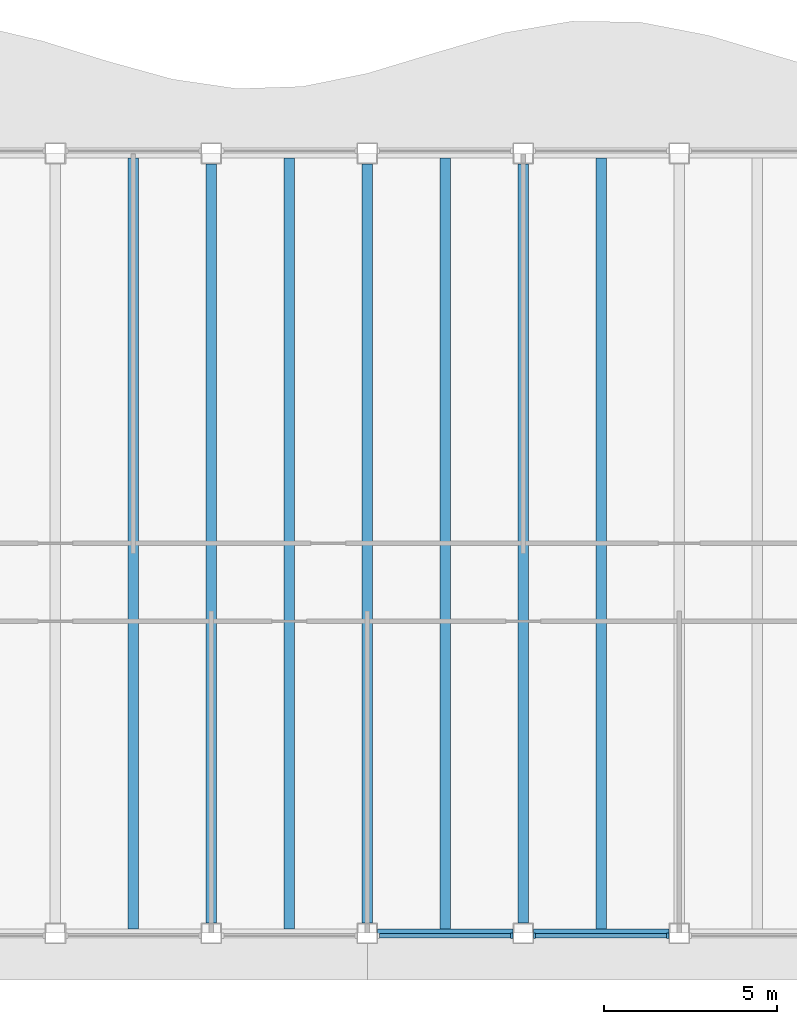
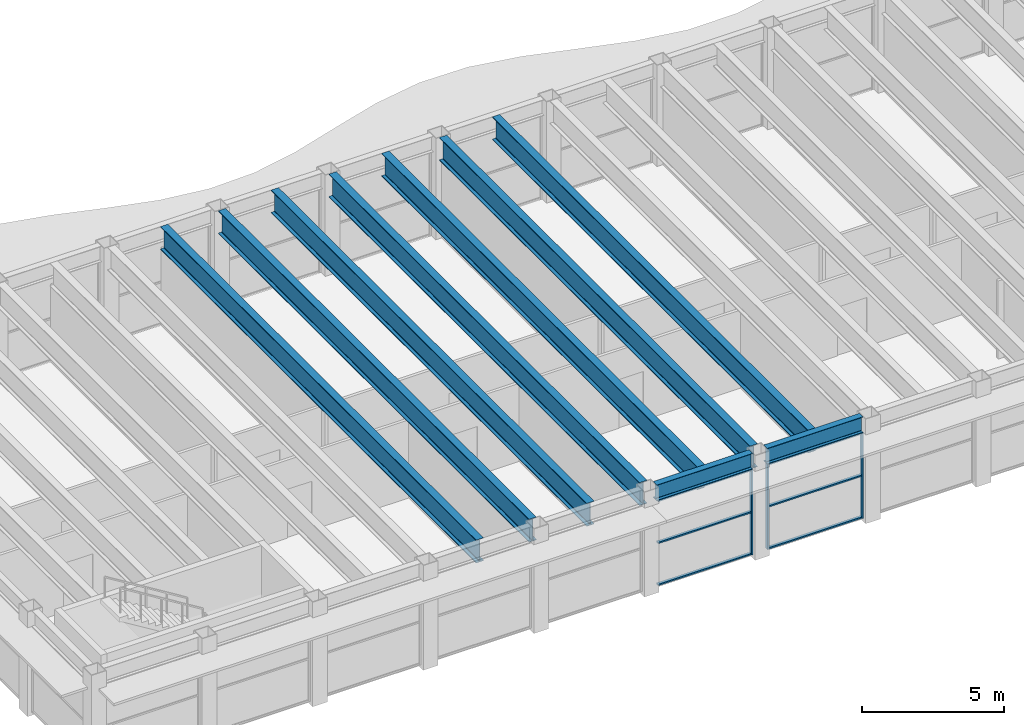
# One storey, part 3 of 14: 9 beams, 9 members, 2 elements without a shape of their own.
"""IFC4 building model written with IfcOpenShell, lengths in metres."""

from ifc_helpers import new_model, si_unit, direction, frame, origin, origin_2d, place, context, subcontext, project, spatial, rectangle, i_section, extrude, material, material_profile, profile_set, type_object, element, aggregate, save


model = new_model("IFC4")

# Units and contexts
model_context = context("Model", 3, precision=1e-05, world=origin(), true_north=direction((0.0, 1.0)))
body_context = subcontext(model_context, "Body", "Model", "MODEL_VIEW")
ifc_project = project(units=[si_unit("LENGTHUNIT", "METRE"), si_unit("AREAUNIT", "SQUARE_METRE"), si_unit("VOLUMEUNIT", "CUBIC_METRE"), si_unit("PLANEANGLEUNIT", "RADIAN"), si_unit("MASSUNIT", "GRAM", prefix="KILO")], contexts=[model_context])

# Site, building, storey
site_placement = place(None, origin())
site = spatial("IfcSite", under=ifc_project, at=site_placement, CompositionType="ELEMENT")
building_placement = place(site_placement, origin())
building = spatial("IfcBuilding", under=site, at=building_placement, Name="Sennacour Bend Tower", CompositionType="ELEMENT")
storey_placement = place(building_placement, frame((0.0, 0.0, 305.0)))
storey = spatial("IfcBuildingStorey", under=building, at=storey_placement, Name="L70", CompositionType="ELEMENT", Elevation=305.0)

# Curtain wall, member
ifc_material_1 = material(Name="Bronze anodised aluminium curtain wall with clear glass", Category="aluminium")
curtain_wall_type = type_object("IfcCurtainWallType", Name="CURTAIN WALL EXEC", PredefinedType="NOTDEFINED", material=ifc_material_1)
curtain_wall_1_placement = place(storey_placement, origin())
curtain_wall_1 = element("IfcCurtainWall", 1, at=curtain_wall_1_placement, inside=storey, type_object=curtain_wall_type, Name="Executive floor glass wall L70", PredefinedType="NOTDEFINED")
ifc_material_2 = material(Name="Aluminium 6063-T6", Category="aluminium")
ifc_material_profile_1 = material_profile(ifc_material_2, rectangle(XDim=0.14990234375, YDim=0.06005859375, at=origin_2d()), Name="Aluminium 6063-T6", Category="aluminium")
ifc_profile_set_1 = profile_set([ifc_material_profile_1], Name="Aluminium 6063-T6")
member_type_1 = type_object("IfcMemberType", Name="CW-MULLION-150X60", PredefinedType="MULLION", material=ifc_profile_set_1)
member_1_placement = place(storey_placement, frame((26.669921875, -0.074951171875, 0.0), z_axis=(0.0, 0.0, 1.0), x_axis=(0.0, 1.0, 0.0)))
member_1 = element("IfcMember", 2, at=member_1_placement, type_object=member_type_1, Name="GW3 curtain wall mullion 2", PredefinedType="MULLION", context=body_context, shape_type="SweptSolid", body=[
    extrude(rectangle(XDim=0.14990234375, YDim=0.06005859375, at=origin_2d()), origin(), (0.0, 0.0, 1.0), 3.672119140625),
])

# Curtain wall, members
curtain_wall_2_placement = place(storey_placement, origin())
curtain_wall_2 = element("IfcCurtainWall", 3, at=curtain_wall_2_placement, inside=storey, type_object=curtain_wall_type, Name="Executive floor glass wall L70", PredefinedType="NOTDEFINED")
member_2_placement = place(storey_placement, frame((27.330078125, -0.074951171875, 0.0), z_axis=(0.0, 0.0, 1.0), x_axis=(0.0, 1.0, 0.0)))
member_2 = element("IfcMember", 4, at=member_2_placement, type_object=member_type_1, Name="GW3 curtain wall mullion 1", PredefinedType="MULLION", context=body_context, shape_type="SweptSolid", body=[
    extrude(rectangle(XDim=0.14990234375, YDim=0.06005859375, at=origin_2d()), origin(), (0.0, 0.0, 1.0), 3.672119140625),
])
member_3_placement = place(storey_placement, frame((31.169921875, -0.074951171875, 0.0), z_axis=(0.0, 0.0, 1.0), x_axis=(0.0, 1.0, 0.0)))
member_3 = element("IfcMember", 5, at=member_3_placement, type_object=member_type_1, Name="GW3 curtain wall mullion 2", PredefinedType="MULLION", context=body_context, shape_type="SweptSolid", body=[
    extrude(rectangle(XDim=0.14990234375, YDim=0.06005859375, at=origin_2d()), origin(), (0.0, 0.0, 1.0), 3.672119140625),
])

# Member
ifc_material_profile_2 = material_profile(ifc_material_2, rectangle(XDim=0.1201171875, YDim=0.06005859375, at=origin_2d()), Name="Aluminium 6063-T6", Category="aluminium")
ifc_profile_set_2 = profile_set([ifc_material_profile_2], Name="Aluminium 6063-T6")
member_type_2 = type_object("IfcMemberType", Name="CW-TRANSOM-120X60", PredefinedType="USERDEFINED", material=ifc_profile_set_2)
member_4_placement = place(storey_placement, frame((22.860107421875, -0.074951171875, 0.030029296875), z_axis=(1.0, 0.0, 0.0), x_axis=(0.0, 1.0, 0.0)))
member_4 = element("IfcMember", 6, at=member_4_placement, type_object=member_type_2, Name="GW3 curtain wall transom 1.1", ObjectType="TRANSOM", PredefinedType="USERDEFINED", context=body_context, shape_type="SweptSolid", body=[
    extrude(rectangle(XDim=0.1201171875, YDim=0.06005859375, at=origin_2d()), origin(), (0.0, 0.0, 1.0), 3.77978515625),
])

member_5_placement = place(storey_placement, frame((22.860107421875, -0.074951171875, 1.8359375), z_axis=(1.0, 0.0, 0.0), x_axis=(0.0, 1.0, 0.0)))
member_5 = element("IfcMember", 7, at=member_5_placement, type_object=member_type_2, Name="GW3 curtain wall transom 1.2", ObjectType="TRANSOM", PredefinedType="USERDEFINED", context=body_context, shape_type="SweptSolid", body=[
    extrude(rectangle(XDim=0.1201171875, YDim=0.06005859375, at=origin_2d()), origin(), (0.0, 0.0, 1.0), 3.77978515625),
])

member_6_placement = place(storey_placement, frame((22.860107421875, -0.074951171875, 3.64208984375), z_axis=(1.0, 0.0, 0.0), x_axis=(0.0, 1.0, 0.0)))
member_6 = element("IfcMember", 8, at=member_6_placement, type_object=member_type_2, Name="GW3 curtain wall transom 1.3", ObjectType="TRANSOM", PredefinedType="USERDEFINED", context=body_context, shape_type="SweptSolid", body=[
    extrude(rectangle(XDim=0.1201171875, YDim=0.06005859375, at=origin_2d()), origin(), (0.0, 0.0, 1.0), 3.77978515625),
])

aggregate(curtain_wall_1, [member_1, member_4, member_5, member_6])

member_7_placement = place(storey_placement, frame((27.360107421875, -0.074951171875, 0.030029296875), z_axis=(1.0, 0.0, 0.0), x_axis=(0.0, 1.0, 0.0)))
member_7 = element("IfcMember", 9, at=member_7_placement, type_object=member_type_2, Name="GW3 curtain wall transom 1.1", ObjectType="TRANSOM", PredefinedType="USERDEFINED", context=body_context, shape_type="SweptSolid", body=[
    extrude(rectangle(XDim=0.1201171875, YDim=0.06005859375, at=origin_2d()), origin(), (0.0, 0.0, 1.0), 3.77978515625),
])

member_8_placement = place(storey_placement, frame((27.360107421875, -0.074951171875, 1.8359375), z_axis=(1.0, 0.0, 0.0), x_axis=(0.0, 1.0, 0.0)))
member_8 = element("IfcMember", 10, at=member_8_placement, type_object=member_type_2, Name="GW3 curtain wall transom 1.2", ObjectType="TRANSOM", PredefinedType="USERDEFINED", context=body_context, shape_type="SweptSolid", body=[
    extrude(rectangle(XDim=0.1201171875, YDim=0.06005859375, at=origin_2d()), origin(), (0.0, 0.0, 1.0), 3.77978515625),
])

member_9_placement = place(storey_placement, frame((27.360107421875, -0.074951171875, 3.64208984375), z_axis=(1.0, 0.0, 0.0), x_axis=(0.0, 1.0, 0.0)))
member_9 = element("IfcMember", 11, at=member_9_placement, type_object=member_type_2, Name="GW3 curtain wall transom 1.3", ObjectType="TRANSOM", PredefinedType="USERDEFINED", context=body_context, shape_type="SweptSolid", body=[
    extrude(rectangle(XDim=0.1201171875, YDim=0.06005859375, at=origin_2d()), origin(), (0.0, 0.0, 1.0), 3.77978515625),
])

aggregate(curtain_wall_2, [member_2, member_3, member_7, member_8, member_9])

# Beams
ifc_material_3 = material(Name="Steel ASTM A992 Grade 50", Category="steel")
ifc_material_profile_3 = material_profile(ifc_material_3, i_section(OverallWidth=0.300048828125, OverallDepth=0.990966796875, WebThickness=0.0166015625, FlangeThickness=0.030517578125, FilletRadius=0.030029296875, at=origin_2d()), Name="Steel ASTM A992 Grade 50", Category="steel")
ifc_profile_set_3 = profile_set([ifc_material_profile_3], Name="Steel ASTM A992 Grade 50")
beam_type_1 = type_object("IfcBeamType", Name="Floor beam W1000X272", PredefinedType="BEAM", material=ifc_profile_set_3)
beam_1_placement = place(storey_placement, frame((15.75, 0.126953125, 3.8544921875), z_axis=(0.0, 1.0, 0.0), x_axis=(-1.0, 0.0, 0.0)))
element("IfcBeam", 12, at=beam_1_placement, inside=storey, type_object=beam_type_1, Name="Floor beam FBM3 L71-007", PredefinedType="BEAM", context=body_context, shape_type="SweptSolid", body=[
    extrude(i_section(OverallWidth=0.300048828125, OverallDepth=0.990966796875, WebThickness=0.0166015625, FlangeThickness=0.030517578125, FilletRadius=0.030029296875, at=origin_2d()), origin(), (0.0, 0.0, 1.0), 22.24609375),
])
beam_2_placement = place(storey_placement, frame((18.0, 0.300048828125, 3.8544921875), z_axis=(0.0, 1.0, 0.0), x_axis=(-1.0, 0.0, 0.0)))
element("IfcBeam", 13, at=beam_2_placement, inside=storey, type_object=beam_type_1, Name="Floor beam FBM3 L71-008", PredefinedType="BEAM", context=body_context, shape_type="SweptSolid", body=[
    extrude(i_section(OverallWidth=0.300048828125, OverallDepth=0.990966796875, WebThickness=0.0166015625, FlangeThickness=0.030517578125, FilletRadius=0.030029296875, at=origin_2d()), origin(), (0.0, 0.0, 1.0), 21.89990234375),
])
beam_3_placement = place(storey_placement, frame((20.25, 0.126953125, 3.8544921875), z_axis=(0.0, 1.0, 0.0), x_axis=(-1.0, 0.0, 0.0)))
element("IfcBeam", 14, at=beam_3_placement, inside=storey, type_object=beam_type_1, Name="Floor beam FBM3 L71-009", PredefinedType="BEAM", context=body_context, shape_type="SweptSolid", body=[
    extrude(i_section(OverallWidth=0.300048828125, OverallDepth=0.990966796875, WebThickness=0.0166015625, FlangeThickness=0.030517578125, FilletRadius=0.030029296875, at=origin_2d()), origin(), (0.0, 0.0, 1.0), 22.24609375),
])
beam_4_placement = place(storey_placement, frame((22.5, 0.300048828125, 3.8544921875), z_axis=(0.0, 1.0, 0.0), x_axis=(-1.0, 0.0, 0.0)))
element("IfcBeam", 15, at=beam_4_placement, inside=storey, type_object=beam_type_1, Name="Floor beam FBM3 L71-010", PredefinedType="BEAM", context=body_context, shape_type="SweptSolid", body=[
    extrude(i_section(OverallWidth=0.300048828125, OverallDepth=0.990966796875, WebThickness=0.0166015625, FlangeThickness=0.030517578125, FilletRadius=0.030029296875, at=origin_2d()), origin(), (0.0, 0.0, 1.0), 21.89990234375),
])
beam_5_placement = place(storey_placement, frame((24.75, 0.126953125, 3.8544921875), z_axis=(0.0, 1.0, 0.0), x_axis=(-1.0, 0.0, 0.0)))
element("IfcBeam", 16, at=beam_5_placement, inside=storey, type_object=beam_type_1, Name="Floor beam FBM3 L71-011", PredefinedType="BEAM", context=body_context, shape_type="SweptSolid", body=[
    extrude(i_section(OverallWidth=0.300048828125, OverallDepth=0.990966796875, WebThickness=0.0166015625, FlangeThickness=0.030517578125, FilletRadius=0.030029296875, at=origin_2d()), origin(), (0.0, 0.0, 1.0), 22.24609375),
])
beam_6_placement = place(storey_placement, frame((27.0, 0.300048828125, 3.8544921875), z_axis=(0.0, 1.0, 0.0), x_axis=(-1.0, 0.0, 0.0)))
element("IfcBeam", 17, at=beam_6_placement, inside=storey, type_object=beam_type_1, Name="Floor beam FBM3 L71-012", PredefinedType="BEAM", context=body_context, shape_type="SweptSolid", body=[
    extrude(i_section(OverallWidth=0.300048828125, OverallDepth=0.990966796875, WebThickness=0.0166015625, FlangeThickness=0.030517578125, FilletRadius=0.030029296875, at=origin_2d()), origin(), (0.0, 0.0, 1.0), 21.89990234375),
])
beam_7_placement = place(storey_placement, frame((29.25, 0.126953125, 3.8544921875), z_axis=(0.0, 1.0, 0.0), x_axis=(-1.0, 0.0, 0.0)))
element("IfcBeam", 18, at=beam_7_placement, inside=storey, type_object=beam_type_1, Name="Floor beam FBM3 L71-013", PredefinedType="BEAM", context=body_context, shape_type="SweptSolid", body=[
    extrude(i_section(OverallWidth=0.300048828125, OverallDepth=0.990966796875, WebThickness=0.0166015625, FlangeThickness=0.030517578125, FilletRadius=0.030029296875, at=origin_2d()), origin(), (0.0, 0.0, 1.0), 22.24609375),
])
ifc_material_profile_4 = material_profile(ifc_material_3, i_section(OverallWidth=0.25390625, OverallDepth=0.677978515625, WebThickness=0.01171875, FlangeThickness=0.016357421875, FilletRadius=0.01513671875, at=origin_2d()), Name="Steel ASTM A992 Grade 50", Category="steel")
ifc_profile_set_4 = profile_set([ifc_material_profile_4], Name="Steel ASTM A992 Grade 50")
beam_type_2 = type_object("IfcBeamType", Name="Spandrel beam W690X125", PredefinedType="SPANDREL", material=ifc_profile_set_4)
for number, where, z_axis, x_axis, name in (
    (19, (31.199951171875, 0.0, 4.010986328125), (-1.0, 0.0, 0.0), (0.0, -1.0, 0.0), "Spandrel beam SP7 L71-023"),
    (20, (26.699951171875, 0.0, 4.010986328125), (-1.0, 0.0, 0.0), (0.0, -1.0, 0.0), "Spandrel beam SP7 L71-024"),
):
    element("IfcBeam", number, at=place(storey_placement, frame(where, z_axis=z_axis, x_axis=x_axis)), inside=storey, type_object=beam_type_2, Name=name, PredefinedType="SPANDREL", context=body_context, shape_type="SweptSolid", body=[
        extrude(i_section(OverallWidth=0.25390625, OverallDepth=0.677978515625, WebThickness=0.01171875, FlangeThickness=0.016357421875, FilletRadius=0.01513671875, at=origin_2d()), origin(), (0.0, 0.0, 1.0), 3.89990234375),
    ])

save(model, "model.ifc")
